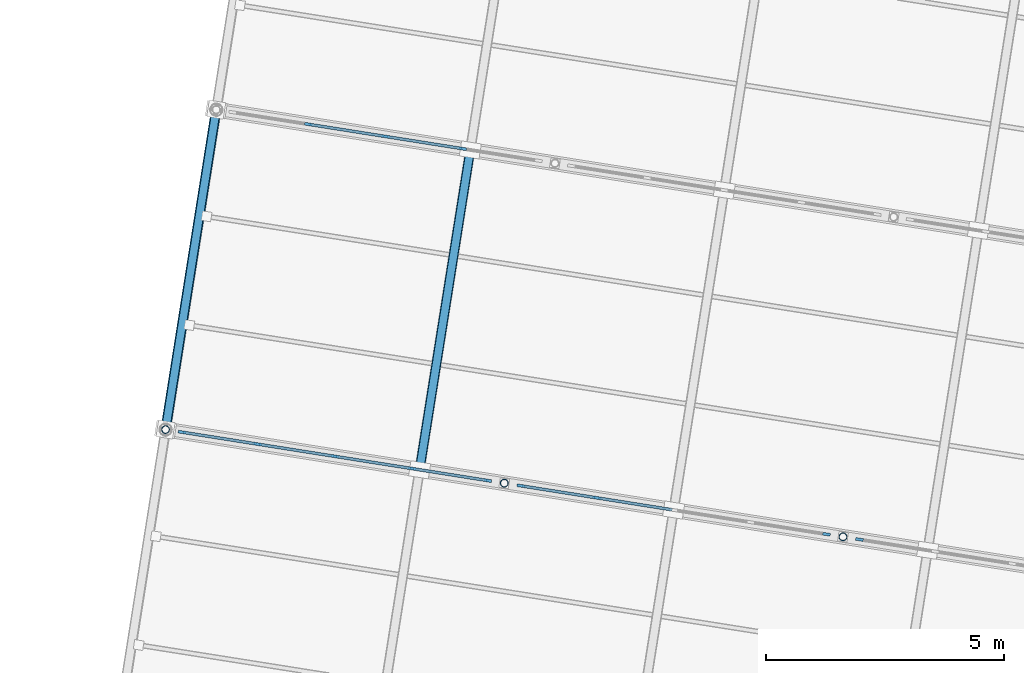
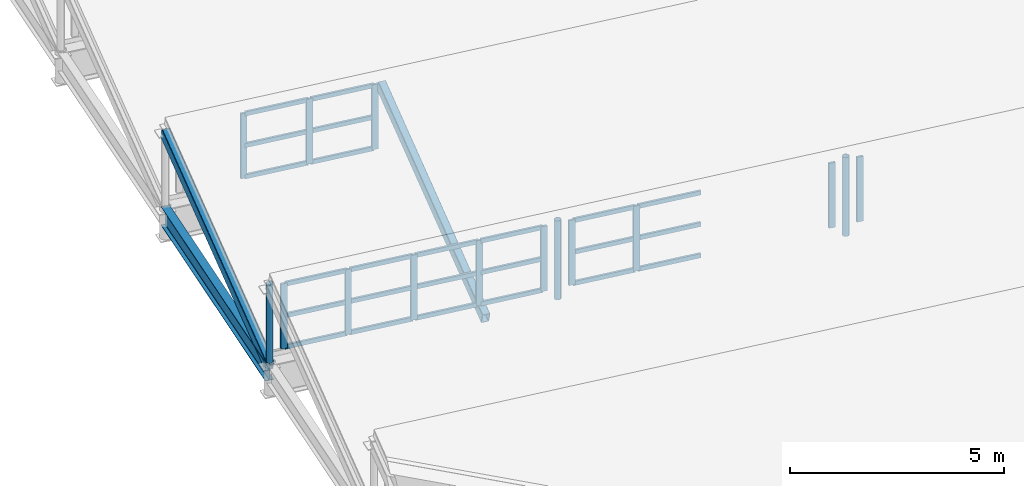
# One storey, part 40 of 65: 41 members, 1 beam, 4 elements without a shape of their own.
"""IFC4 building model written with IfcOpenShell, lengths in metres."""

from ifc_helpers import new_model, si_unit, direction, frame, origin, origin_2d, place, context, subcontext, project, spatial, rectangle, hollow_rectangle, hollow_circle, i_section, extrude, material, material_profile, profile_set, type_object, element, aggregate, save


model = new_model("IFC4")

# Units and contexts
model_context = context("Model", 3, precision=1e-05, world=origin(), true_north=direction((0.0, 1.0)))
body_context = subcontext(model_context, "Body", "Model", "MODEL_VIEW")
ifc_project = project(units=[si_unit("LENGTHUNIT", "METRE"), si_unit("AREAUNIT", "SQUARE_METRE"), si_unit("VOLUMEUNIT", "CUBIC_METRE"), si_unit("PLANEANGLEUNIT", "RADIAN"), si_unit("MASSUNIT", "GRAM", prefix="KILO")], contexts=[model_context])

# Site, building, storey
site_placement = place(None, origin())
site = spatial("IfcSite", under=ifc_project, at=site_placement, CompositionType="ELEMENT")
building_placement = place(site_placement, origin())
building = spatial("IfcBuilding", under=site, at=building_placement, Name="Cinderway Yard Community Centre", CompositionType="ELEMENT")
storey_placement = place(building_placement, frame((0.0, 0.0, 24.300048828125)))
storey = spatial("IfcBuildingStorey", under=building, at=storey_placement, Name="RF", CompositionType="ELEMENT", Elevation=24.300048828125)

# Curtain wall, members
ifc_material_1 = material(Name="Aluminium 6063-T6", Category="aluminium")
curtain_wall_type = type_object("IfcCurtainWallType", Name="ENV-CW-TYPE-23", PredefinedType="USERDEFINED", material=ifc_material_1)
curtain_wall_1_placement = place(storey_placement, origin())
curtain_wall_1 = element("IfcCurtainWall", 1, at=curtain_wall_1_placement, inside=storey, type_object=curtain_wall_type, Name="Sawtooth North-Light Clerestory ENV-CW-RF-ST-0078", ObjectType="GLAZED CURTAIN WALL", PredefinedType="USERDEFINED")
ifc_material_profile_1 = material_profile(ifc_material_1, rectangle(XDim=0.06005859375, YDim=0.159912109375, at=origin_2d()), Name="Aluminium 6063-T6")
ifc_profile_set_1 = profile_set([ifc_material_profile_1], Name="Aluminium 6063-T6")
member_type_1 = type_object("IfcMemberType", Name="ENV-CW-MULL-150", PredefinedType="MULLION", material=ifc_profile_set_1)
member_1_placement = place(storey_placement, frame((121.53662109375, 58.09423828125, -10.199951171875), z_axis=(0.0, 0.0, 1.0), x_axis=(0.156385221956, 0.987696138675, 0.0)))
member_1 = element("IfcMember", 2, at=member_1_placement, type_object=member_type_1, Name="CW-23 mullion 1", PredefinedType="MULLION", context=body_context, shape_type="SweptSolid", body=[
    extrude(rectangle(XDim=0.06005859375, YDim=0.159912109375, at=origin_2d()), origin(), (0.0, 0.0, 1.0), 1.849853515625),
])
member_2_placement = place(storey_placement, frame((123.126953125, 57.842529296875, -10.199951171875), z_axis=(0.0, 0.0, 1.0), x_axis=(0.156385221956, 0.987696138675, 0.0)))
member_2 = element("IfcMember", 3, at=member_2_placement, type_object=member_type_1, Name="CW-23 mullion 2", PredefinedType="MULLION", context=body_context, shape_type="SweptSolid", body=[
    extrude(rectangle(XDim=0.06005859375, YDim=0.159912109375, at=origin_2d()), origin(), (0.0, 0.0, 1.0), 1.849853515625),
])
member_3_placement = place(storey_placement, frame((124.7470703125, 57.5859375, -10.199951171875), z_axis=(0.0, 0.0, 1.0), x_axis=(0.156385221956, 0.987696138675, 0.0)))
member_3 = element("IfcMember", 4, at=member_3_placement, type_object=member_type_1, Name="CW-23 mullion 3", PredefinedType="MULLION", context=body_context, shape_type="SweptSolid", body=[
    extrude(rectangle(XDim=0.06005859375, YDim=0.159912109375, at=origin_2d()), origin(), (0.0, 0.0, 1.0), 1.849853515625),
])
member_4_placement = place(storey_placement, frame((126.366943359375, 57.32958984375, -10.199951171875), z_axis=(0.0, 0.0, 1.0), x_axis=(0.156385221956, 0.987696138675, 0.0)))
member_4 = element("IfcMember", 5, at=member_4_placement, type_object=member_type_1, Name="CW-23 mullion 4", PredefinedType="MULLION", context=body_context, shape_type="SweptSolid", body=[
    extrude(rectangle(XDim=0.06005859375, YDim=0.159912109375, at=origin_2d()), origin(), (0.0, 0.0, 1.0), 1.849853515625),
])
member_5_placement = place(storey_placement, frame((127.957275390625, 57.07763671875, -10.199951171875), z_axis=(0.0, 0.0, 1.0), x_axis=(0.156385221956, 0.987696138675, 0.0)))
member_5 = element("IfcMember", 6, at=member_5_placement, type_object=member_type_1, Name="CW-23 mullion 5", PredefinedType="MULLION", context=body_context, shape_type="SweptSolid", body=[
    extrude(rectangle(XDim=0.06005859375, YDim=0.159912109375, at=origin_2d()), origin(), (0.0, 0.0, 1.0), 1.849853515625),
])

curtain_wall_2_placement = place(storey_placement, origin())
curtain_wall_2 = element("IfcCurtainWall", 7, at=curtain_wall_2_placement, inside=storey, type_object=curtain_wall_type, Name="Sawtooth North-Light Clerestory ENV-CW-RF-ST-0079", ObjectType="GLAZED CURTAIN WALL", PredefinedType="USERDEFINED")
member_6_placement = place(storey_placement, frame((128.648681640625, 56.96826171875, -10.199951171875), z_axis=(0.0, 0.0, 1.0), x_axis=(0.156557479266, 0.987668849203, 0.0)))
member_6 = element("IfcMember", 8, at=member_6_placement, type_object=member_type_1, Name="CW-23 mullion 1", PredefinedType="MULLION", context=body_context, shape_type="SweptSolid", body=[
    extrude(rectangle(XDim=0.06005859375, YDim=0.159912109375, at=origin_2d()), origin(), (0.0, 0.0, 1.0), 1.849853515625),
])
member_7_placement = place(storey_placement, frame((130.23876953125, 56.71630859375, -10.199951171875), z_axis=(0.0, 0.0, 1.0), x_axis=(0.156557479266, 0.987668849203, 0.0)))
member_7 = element("IfcMember", 9, at=member_7_placement, type_object=member_type_1, Name="CW-23 mullion 2", PredefinedType="MULLION", context=body_context, shape_type="SweptSolid", body=[
    extrude(rectangle(XDim=0.06005859375, YDim=0.159912109375, at=origin_2d()), origin(), (0.0, 0.0, 1.0), 1.849853515625),
])
member_8_placement = place(storey_placement, frame((135.068359375, 55.95068359375, -10.199951171875), z_axis=(0.0, 0.0, 1.0), x_axis=(0.156557479266, 0.987668849203, 0.0)))
member_8 = element("IfcMember", 10, at=member_8_placement, type_object=member_type_1, Name="CW-23 mullion 5", PredefinedType="MULLION", context=body_context, shape_type="SweptSolid", body=[
    extrude(rectangle(XDim=0.06005859375, YDim=0.159912109375, at=origin_2d()), origin(), (0.0, 0.0, 1.0), 1.849853515625),
])

# Curtain wall, member
curtain_wall_3_placement = place(storey_placement, origin())
curtain_wall_3 = element("IfcCurtainWall", 11, at=curtain_wall_3_placement, inside=storey, type_object=curtain_wall_type, Name="Sawtooth North-Light Clerestory ENV-CW-RF-ST-0080", ObjectType="GLAZED CURTAIN WALL", PredefinedType="USERDEFINED")
member_9_placement = place(storey_placement, frame((135.759521484375, 55.84130859375, -10.199951171875), z_axis=(0.0, 0.0, 1.0), x_axis=(0.15640876877, 0.987692410142, 0.0)))
member_9 = element("IfcMember", 12, at=member_9_placement, type_object=member_type_1, Name="CW-23 mullion 1", PredefinedType="MULLION", context=body_context, shape_type="SweptSolid", body=[
    extrude(rectangle(XDim=0.06005859375, YDim=0.159912109375, at=origin_2d()), origin(), (0.0, 0.0, 1.0), 1.849853515625),
])
aggregate(curtain_wall_3, [member_9])

# Curtain wall, members
curtain_wall_4_placement = place(storey_placement, origin())
curtain_wall_4 = element("IfcCurtainWall", 13, at=curtain_wall_4_placement, inside=storey, type_object=curtain_wall_type, Name="Sawtooth North-Light Clerestory ENV-CW-RF-ST-0081", ObjectType="GLAZED CURTAIN WALL", PredefinedType="USERDEFINED")
member_10_placement = place(storey_placement, frame((124.190673828125, 64.55859375, -10.199951171875), z_axis=(0.0, 0.0, 1.0), x_axis=(0.15640876877, 0.987692410142, 0.0)))
member_10 = element("IfcMember", 14, at=member_10_placement, type_object=member_type_1, Name="CW-23 mullion 2", PredefinedType="MULLION", context=body_context, shape_type="SweptSolid", body=[
    extrude(rectangle(XDim=0.06005859375, YDim=0.159912109375, at=origin_2d()), origin(), (0.0, 0.0, 1.0), 1.849853515625),
])
member_11_placement = place(storey_placement, frame((125.810546875, 64.302001953125, -10.199951171875), z_axis=(0.0, 0.0, 1.0), x_axis=(0.15640876877, 0.987692410142, 0.0)))
member_11 = element("IfcMember", 15, at=member_11_placement, type_object=member_type_1, Name="CW-23 mullion 3", PredefinedType="MULLION", context=body_context, shape_type="SweptSolid", body=[
    extrude(rectangle(XDim=0.06005859375, YDim=0.159912109375, at=origin_2d()), origin(), (0.0, 0.0, 1.0), 1.849853515625),
])
member_12_placement = place(storey_placement, frame((127.43017578125, 64.04541015625, -10.199951171875), z_axis=(0.0, 0.0, 1.0), x_axis=(0.15640876877, 0.987692410142, 0.0)))
member_12 = element("IfcMember", 16, at=member_12_placement, type_object=member_type_1, Name="CW-23 mullion 4", PredefinedType="MULLION", context=body_context, shape_type="SweptSolid", body=[
    extrude(rectangle(XDim=0.06005859375, YDim=0.159912109375, at=origin_2d()), origin(), (0.0, 0.0, 1.0), 1.849853515625),
])

# Member
ifc_material_profile_2 = material_profile(ifc_material_1, rectangle(XDim=0.06005859375, YDim=0.1201171875, at=origin_2d()), Name="Aluminium 6063-T6")
ifc_profile_set_2 = profile_set([ifc_material_profile_2], Name="Aluminium 6063-T6")
member_type_2 = type_object("IfcMemberType", Name="ENV-CW-TRAN-110", PredefinedType="USERDEFINED", material=ifc_profile_set_2)
member_13_placement = place(storey_placement, frame((121.566162109375, 58.089599609375, -10.170166015625), z_axis=(0.98769776023, -0.156374980215, 0.0), x_axis=(0.156374980215, 0.98769776023, 0.0)))
member_13 = element("IfcMember", 17, at=member_13_placement, type_object=member_type_2, Name="CW-23 transom 1.1", ObjectType="TRANSOM", PredefinedType="USERDEFINED", context=body_context, shape_type="SweptSolid", body=[
    extrude(rectangle(XDim=0.06005859375, YDim=0.1201171875, at=origin_2d()), origin(), (0.0, 0.0, 1.0), 1.55029296875),
])

member_14_placement = place(storey_placement, frame((121.566162109375, 58.089599609375, -9.280029296875), z_axis=(0.98769776023, -0.156374980215, 0.0), x_axis=(0.156374980215, 0.98769776023, 0.0)))
member_14 = element("IfcMember", 18, at=member_14_placement, type_object=member_type_2, Name="CW-23 transom 1.2", ObjectType="TRANSOM", PredefinedType="USERDEFINED", context=body_context, shape_type="SweptSolid", body=[
    extrude(rectangle(XDim=0.06005859375, YDim=0.1201171875, at=origin_2d()), origin(), (0.0, 0.0, 1.0), 1.55029296875),
])

member_15_placement = place(storey_placement, frame((121.566162109375, 58.089599609375, -8.380126953125), z_axis=(0.98769776023, -0.156374980215, 0.0), x_axis=(0.156374980215, 0.98769776023, 0.0)))
member_15 = element("IfcMember", 19, at=member_15_placement, type_object=member_type_2, Name="CW-23 transom 1.3", ObjectType="TRANSOM", PredefinedType="USERDEFINED", context=body_context, shape_type="SweptSolid", body=[
    extrude(rectangle(XDim=0.06005859375, YDim=0.1201171875, at=origin_2d()), origin(), (0.0, 0.0, 1.0), 1.55029296875),
])

member_16_placement = place(storey_placement, frame((123.15673828125, 57.837890625, -10.170166015625), z_axis=(0.98767385289, -0.156525909414, 0.0), x_axis=(0.156525909414, 0.98767385289, 0.0)))
member_16 = element("IfcMember", 20, at=member_16_placement, type_object=member_type_2, Name="CW-23 transom 2.1", ObjectType="TRANSOM", PredefinedType="USERDEFINED", context=body_context, shape_type="SweptSolid", body=[
    extrude(rectangle(XDim=0.06005859375, YDim=0.1201171875, at=origin_2d()), origin(), (0.0, 0.0, 1.0), 1.580078125),
])

member_17_placement = place(storey_placement, frame((123.15673828125, 57.837890625, -9.280029296875), z_axis=(0.98767385289, -0.156525909414, 0.0), x_axis=(0.156525909414, 0.98767385289, 0.0)))
member_17 = element("IfcMember", 21, at=member_17_placement, type_object=member_type_2, Name="CW-23 transom 2.2", ObjectType="TRANSOM", PredefinedType="USERDEFINED", context=body_context, shape_type="SweptSolid", body=[
    extrude(rectangle(XDim=0.06005859375, YDim=0.1201171875, at=origin_2d()), origin(), (0.0, 0.0, 1.0), 1.580078125),
])

member_18_placement = place(storey_placement, frame((123.15673828125, 57.837890625, -8.380126953125), z_axis=(0.98767385289, -0.156525909414, 0.0), x_axis=(0.156525909414, 0.98767385289, 0.0)))
member_18 = element("IfcMember", 22, at=member_18_placement, type_object=member_type_2, Name="CW-23 transom 2.3", ObjectType="TRANSOM", PredefinedType="USERDEFINED", context=body_context, shape_type="SweptSolid", body=[
    extrude(rectangle(XDim=0.06005859375, YDim=0.1201171875, at=origin_2d()), origin(), (0.0, 0.0, 1.0), 1.580078125),
])

member_19_placement = place(storey_placement, frame((124.776611328125, 57.581298828125, -10.170166015625), z_axis=(0.987701507454, -0.156351310112, 0.0), x_axis=(0.156351310112, 0.987701507454, 0.0)))
member_19 = element("IfcMember", 23, at=member_19_placement, type_object=member_type_2, Name="CW-23 transom 3.1", ObjectType="TRANSOM", PredefinedType="USERDEFINED", context=body_context, shape_type="SweptSolid", body=[
    extrude(rectangle(XDim=0.06005859375, YDim=0.1201171875, at=origin_2d()), origin(), (0.0, 0.0, 1.0), 1.580322265625),
])

member_20_placement = place(storey_placement, frame((124.776611328125, 57.581298828125, -9.280029296875), z_axis=(0.987701507454, -0.156351310112, 0.0), x_axis=(0.156351310112, 0.987701507454, 0.0)))
member_20 = element("IfcMember", 24, at=member_20_placement, type_object=member_type_2, Name="CW-23 transom 3.2", ObjectType="TRANSOM", PredefinedType="USERDEFINED", context=body_context, shape_type="SweptSolid", body=[
    extrude(rectangle(XDim=0.06005859375, YDim=0.1201171875, at=origin_2d()), origin(), (0.0, 0.0, 1.0), 1.580322265625),
])

member_21_placement = place(storey_placement, frame((124.776611328125, 57.581298828125, -8.380126953125), z_axis=(0.987701507454, -0.156351310112, 0.0), x_axis=(0.156351310112, 0.987701507454, 0.0)))
member_21 = element("IfcMember", 25, at=member_21_placement, type_object=member_type_2, Name="CW-23 transom 3.3", ObjectType="TRANSOM", PredefinedType="USERDEFINED", context=body_context, shape_type="SweptSolid", body=[
    extrude(rectangle(XDim=0.06005859375, YDim=0.1201171875, at=origin_2d()), origin(), (0.0, 0.0, 1.0), 1.580322265625),
])

member_22_placement = place(storey_placement, frame((126.396728515625, 57.32470703125, -10.170166015625), z_axis=(0.987693908517, -0.156399306515, 0.0), x_axis=(0.156399306515, 0.987693908517, 0.0)))
member_22 = element("IfcMember", 26, at=member_22_placement, type_object=member_type_2, Name="CW-23 transom 4.1", ObjectType="TRANSOM", PredefinedType="USERDEFINED", context=body_context, shape_type="SweptSolid", body=[
    extrude(rectangle(XDim=0.06005859375, YDim=0.1201171875, at=origin_2d()), origin(), (0.0, 0.0, 1.0), 1.550048828125),
])

member_23_placement = place(storey_placement, frame((126.396728515625, 57.32470703125, -9.280029296875), z_axis=(0.987693908517, -0.156399306515, 0.0), x_axis=(0.156399306515, 0.987693908517, 0.0)))
member_23 = element("IfcMember", 27, at=member_23_placement, type_object=member_type_2, Name="CW-23 transom 4.2", ObjectType="TRANSOM", PredefinedType="USERDEFINED", context=body_context, shape_type="SweptSolid", body=[
    extrude(rectangle(XDim=0.06005859375, YDim=0.1201171875, at=origin_2d()), origin(), (0.0, 0.0, 1.0), 1.550048828125),
])

member_24_placement = place(storey_placement, frame((126.396728515625, 57.32470703125, -8.380126953125), z_axis=(0.987693908517, -0.156399306515, 0.0), x_axis=(0.156399306515, 0.987693908517, 0.0)))
member_24 = element("IfcMember", 28, at=member_24_placement, type_object=member_type_2, Name="CW-23 transom 4.3", ObjectType="TRANSOM", PredefinedType="USERDEFINED", context=body_context, shape_type="SweptSolid", body=[
    extrude(rectangle(XDim=0.06005859375, YDim=0.1201171875, at=origin_2d()), origin(), (0.0, 0.0, 1.0), 1.550048828125),
])

aggregate(curtain_wall_1, [member_1, member_2, member_3, member_4, member_5, member_13, member_14, member_15, member_16, member_17, member_18, member_19, member_20, member_21, member_22, member_23, member_24])

member_25_placement = place(storey_placement, frame((128.67822265625, 56.963623046875, -10.170166015625), z_axis=(0.987669567129, -0.156552950044, 0.0), x_axis=(0.156552950044, 0.987669567129, 0.0)))
member_25 = element("IfcMember", 29, at=member_25_placement, type_object=member_type_2, Name="CW-23 transom 1.1", ObjectType="TRANSOM", PredefinedType="USERDEFINED", context=body_context, shape_type="SweptSolid", body=[
    extrude(rectangle(XDim=0.06005859375, YDim=0.1201171875, at=origin_2d()), origin(), (0.0, 0.0, 1.0), 1.550048828125),
])

member_26_placement = place(storey_placement, frame((128.67822265625, 56.963623046875, -9.280029296875), z_axis=(0.987669567129, -0.156552950044, 0.0), x_axis=(0.156552950044, 0.987669567129, 0.0)))
member_26 = element("IfcMember", 30, at=member_26_placement, type_object=member_type_2, Name="CW-23 transom 1.2", ObjectType="TRANSOM", PredefinedType="USERDEFINED", context=body_context, shape_type="SweptSolid", body=[
    extrude(rectangle(XDim=0.06005859375, YDim=0.1201171875, at=origin_2d()), origin(), (0.0, 0.0, 1.0), 1.550048828125),
])

member_27_placement = place(storey_placement, frame((128.67822265625, 56.963623046875, -8.380126953125), z_axis=(0.987669567129, -0.156552950044, 0.0), x_axis=(0.156552950044, 0.987669567129, 0.0)))
member_27 = element("IfcMember", 31, at=member_27_placement, type_object=member_type_2, Name="CW-23 transom 1.3", ObjectType="TRANSOM", PredefinedType="USERDEFINED", context=body_context, shape_type="SweptSolid", body=[
    extrude(rectangle(XDim=0.06005859375, YDim=0.1201171875, at=origin_2d()), origin(), (0.0, 0.0, 1.0), 1.550048828125),
])

member_28_placement = place(storey_placement, frame((130.268310546875, 56.711669921875, -10.170166015625), z_axis=(0.987649954143, -0.156676635404, 0.0), x_axis=(0.156676635404, 0.987649954143, 0.0)))
member_28 = element("IfcMember", 32, at=member_28_placement, type_object=member_type_2, Name="CW-23 transom 2.1", ObjectType="TRANSOM", PredefinedType="USERDEFINED", context=body_context, shape_type="SweptSolid", body=[
    extrude(rectangle(XDim=0.06005859375, YDim=0.1201171875, at=origin_2d()), origin(), (0.0, 0.0, 1.0), 1.580078125),
])

member_29_placement = place(storey_placement, frame((130.268310546875, 56.711669921875, -9.280029296875), z_axis=(0.987649954143, -0.156676635404, 0.0), x_axis=(0.156676635404, 0.987649954143, 0.0)))
member_29 = element("IfcMember", 33, at=member_29_placement, type_object=member_type_2, Name="CW-23 transom 2.2", ObjectType="TRANSOM", PredefinedType="USERDEFINED", context=body_context, shape_type="SweptSolid", body=[
    extrude(rectangle(XDim=0.06005859375, YDim=0.1201171875, at=origin_2d()), origin(), (0.0, 0.0, 1.0), 1.580078125),
])

member_30_placement = place(storey_placement, frame((130.268310546875, 56.711669921875, -8.380126953125), z_axis=(0.987649954143, -0.156676635404, 0.0), x_axis=(0.156676635404, 0.987649954143, 0.0)))
member_30 = element("IfcMember", 34, at=member_30_placement, type_object=member_type_2, Name="CW-23 transom 2.3", ObjectType="TRANSOM", PredefinedType="USERDEFINED", context=body_context, shape_type="SweptSolid", body=[
    extrude(rectangle(XDim=0.06005859375, YDim=0.1201171875, at=origin_2d()), origin(), (0.0, 0.0, 1.0), 1.580078125),
])

aggregate(curtain_wall_2, [member_6, member_7, member_8, member_25, member_26, member_27, member_28, member_29, member_30])

member_31_placement = place(storey_placement, frame((124.220458984375, 64.5537109375, -10.170166015625), z_axis=(0.987693950393, -0.156399042059, 0.0), x_axis=(0.156399042059, 0.987693950393, 0.0)))
member_31 = element("IfcMember", 35, at=member_31_placement, type_object=member_type_2, Name="CW-23 transom 2.1", ObjectType="TRANSOM", PredefinedType="USERDEFINED", context=body_context, shape_type="SweptSolid", body=[
    extrude(rectangle(XDim=0.06005859375, YDim=0.1201171875, at=origin_2d()), origin(), (0.0, 0.0, 1.0), 1.579833984375),
])

member_32_placement = place(storey_placement, frame((124.220458984375, 64.5537109375, -9.280029296875), z_axis=(0.987693950393, -0.156399042059, 0.0), x_axis=(0.156399042059, 0.987693950393, 0.0)))
member_32 = element("IfcMember", 36, at=member_32_placement, type_object=member_type_2, Name="CW-23 transom 2.2", ObjectType="TRANSOM", PredefinedType="USERDEFINED", context=body_context, shape_type="SweptSolid", body=[
    extrude(rectangle(XDim=0.06005859375, YDim=0.1201171875, at=origin_2d()), origin(), (0.0, 0.0, 1.0), 1.579833984375),
])

member_33_placement = place(storey_placement, frame((124.220458984375, 64.5537109375, -8.380126953125), z_axis=(0.987693950393, -0.156399042059, 0.0), x_axis=(0.156399042059, 0.987693950393, 0.0)))
member_33 = element("IfcMember", 37, at=member_33_placement, type_object=member_type_2, Name="CW-23 transom 2.3", ObjectType="TRANSOM", PredefinedType="USERDEFINED", context=body_context, shape_type="SweptSolid", body=[
    extrude(rectangle(XDim=0.06005859375, YDim=0.1201171875, at=origin_2d()), origin(), (0.0, 0.0, 1.0), 1.579833984375),
])

member_34_placement = place(storey_placement, frame((125.840087890625, 64.29736328125, -10.170166015625), z_axis=(0.987697729788, -0.156375172488, 0.0), x_axis=(0.156375172488, 0.987697729788, 0.0)))
member_34 = element("IfcMember", 38, at=member_34_placement, type_object=member_type_2, Name="CW-23 transom 3.1", ObjectType="TRANSOM", PredefinedType="USERDEFINED", context=body_context, shape_type="SweptSolid", body=[
    extrude(rectangle(XDim=0.06005859375, YDim=0.1201171875, at=origin_2d()), origin(), (0.0, 0.0, 1.0), 1.580078125),
])

member_35_placement = place(storey_placement, frame((125.840087890625, 64.29736328125, -9.280029296875), z_axis=(0.987697729788, -0.156375172488, 0.0), x_axis=(0.156375172488, 0.987697729788, 0.0)))
member_35 = element("IfcMember", 39, at=member_35_placement, type_object=member_type_2, Name="CW-23 transom 3.2", ObjectType="TRANSOM", PredefinedType="USERDEFINED", context=body_context, shape_type="SweptSolid", body=[
    extrude(rectangle(XDim=0.06005859375, YDim=0.1201171875, at=origin_2d()), origin(), (0.0, 0.0, 1.0), 1.580078125),
])

member_36_placement = place(storey_placement, frame((125.840087890625, 64.29736328125, -8.380126953125), z_axis=(0.987697729788, -0.156375172488, 0.0), x_axis=(0.156375172488, 0.987697729788, 0.0)))
member_36 = element("IfcMember", 40, at=member_36_placement, type_object=member_type_2, Name="CW-23 transom 3.3", ObjectType="TRANSOM", PredefinedType="USERDEFINED", context=body_context, shape_type="SweptSolid", body=[
    extrude(rectangle(XDim=0.06005859375, YDim=0.1201171875, at=origin_2d()), origin(), (0.0, 0.0, 1.0), 1.580078125),
])

aggregate(curtain_wall_4, [member_10, member_11, member_12, member_31, member_32, member_33, member_34, member_35, member_36])

# Beam
ifc_material_2 = material(Name="Steel S355", Category="steel")
ifc_material_profile_3 = material_profile(ifc_material_2, i_section(OverallWidth=0.2109375, OverallDepth=0.5390625, WebThickness=0.010986328125, FlangeThickness=0.017333984375, FilletRadius=0.013916015625, at=origin_2d()), Name="Steel S355")
ifc_profile_set_3 = profile_set([ifc_material_profile_3], Name="Steel S355")
beam_type = type_object("IfcBeamType", Name="STR-BM-W530X109", PredefinedType="BEAM", material=ifc_profile_set_3)
beam_placement = place(storey_placement, frame((121.19091796875, 58.14892578125, -10.77001953125), z_axis=(0.156469575446, 0.987682779013, 0.0), x_axis=(-0.987682779013, 0.156469575446, 0.0)))
element("IfcBeam", 41, at=beam_placement, inside=storey, type_object=beam_type, Name="Sports eave beam W STR-BM-RF-SB06-1019", PredefinedType="BEAM", context=body_context, shape_type="SweptSolid", body=[
    extrude(i_section(OverallWidth=0.2109375, OverallDepth=0.5390625, WebThickness=0.010986328125, FlangeThickness=0.017333984375, FilletRadius=0.013916015625, at=origin_2d()), origin(), (0.0, 0.0, 1.0), 6.7998046875),
])

# Members
ifc_material_profile_4 = material_profile(ifc_material_2, hollow_rectangle(XDim=0.199951171875, YDim=0.300048828125, WallThickness=0.012451171875, InnerFilletRadius=0.012451171875, OuterFilletRadius=0.02490234375, at=origin_2d()), Name="Steel S355")
ifc_profile_set_4 = profile_set([ifc_material_profile_4], Name="Steel S355")
member_type_3 = type_object("IfcMemberType", Name="STR-MEM-RAFTER-300", PredefinedType="RAFTER", material=ifc_profile_set_4)
member_37_placement = place(storey_placement, frame((121.19091796875, 58.14892578125, -10.6201171875), z_axis=(0.14887205817, 0.939724976642, 0.307821504399), x_axis=(-0.987682779013, 0.156469575446, 0.0)))
element("IfcMember", 42, at=member_37_placement, inside=storey, type_object=member_type_3, Name="Sawtooth raked rafter B4-000", PredefinedType="RAFTER", context=body_context, shape_type="SweptSolid", body=[
    extrude(hollow_rectangle(XDim=0.199951171875, YDim=0.300048828125, WallThickness=0.012451171875, InnerFilletRadius=0.012451171875, OuterFilletRadius=0.02490234375, at=origin_2d()), origin(), (0.0, 0.0, 1.0), 7.146728515625),
])
member_38_placement = place(storey_placement, frame((126.52490234375, 57.303955078125, -10.6201171875), z_axis=(0.148905461455, 0.939720197099, 0.307819938786), x_axis=(-0.987677229739, 0.15650460011, 0.0)))
element("IfcMember", 43, at=member_38_placement, inside=storey, type_object=member_type_3, Name="Sawtooth raked rafter B4-054", PredefinedType="RAFTER", context=body_context, shape_type="SweptSolid", body=[
    extrude(hollow_rectangle(XDim=0.199951171875, YDim=0.300048828125, WallThickness=0.012451171875, InnerFilletRadius=0.012451171875, OuterFilletRadius=0.02490234375, at=origin_2d()), origin(), (0.0, 0.0, 1.0), 7.14697265625),
])
ifc_material_profile_5 = material_profile(ifc_material_2, hollow_circle(Radius=0.084228515625, WallThickness=0.008056640625, at=origin_2d()), Name="Steel S355")
ifc_profile_set_5 = profile_set([ifc_material_profile_5], Name="Steel S355")
member_type_4 = type_object("IfcMemberType", Name="STR-MEM-STRUT-CHS168", PredefinedType="STRUT", material=ifc_profile_set_5)
for number, where, z_axis, x_axis, name in (
    (44, (121.19091796875, 58.14892578125, -10.5), (0.0, 0.0, 1.0), (1.0, 0.0, 0.0), "Sawtooth kingpost B3-000"),
    (45, (128.302978515625, 57.02294921875, -10.5), (0.0, 0.0, 1.0), (1.0, 0.0, 0.0), "Sawtooth kingpost B3-072"),
    (46, (135.4140625, 55.89599609375, -10.5), (0.0, 0.0, 1.0), (1.0, 0.0, 0.0), "Sawtooth kingpost B3-144"),
):
    element("IfcMember", number, at=place(storey_placement, frame(where, z_axis=z_axis, x_axis=x_axis)), inside=storey, type_object=member_type_4, Name=name, PredefinedType="STRUT", context=body_context, shape_type="SweptSolid", body=[
        extrude(hollow_circle(Radius=0.084228515625, WallThickness=0.008056640625, at=origin_2d()), origin(), (0.0, 0.0, 1.0), 2.25),
    ])

save(model, "model.ifc")
